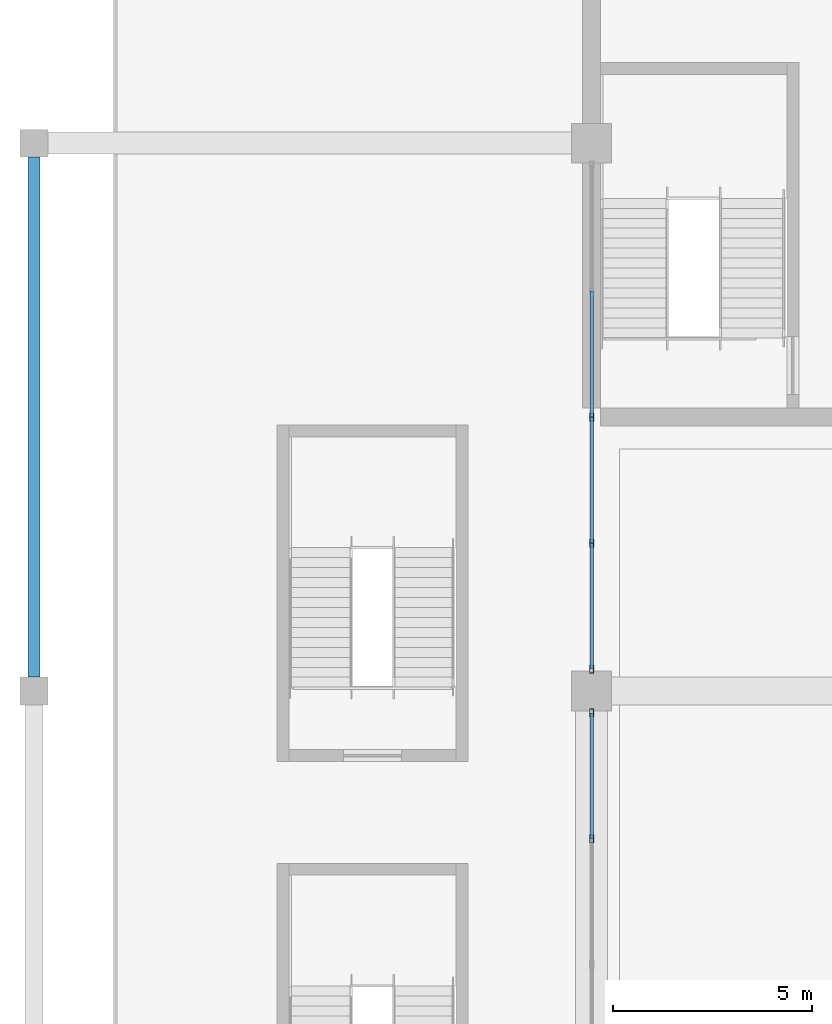
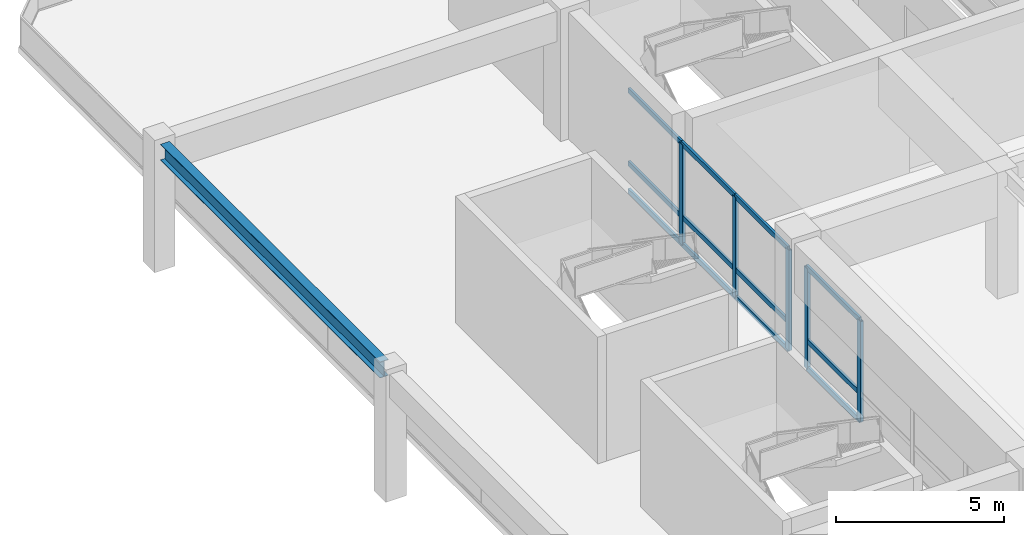
# One storey, part 31 of 94: 17 members, 1 beam, 2 elements without a shape of their own.
"""IFC4 building model written with IfcOpenShell, lengths in metres."""

from ifc_helpers import new_model, si_unit, direction, frame, origin, origin_2d, place, context, subcontext, project, spatial, hollow_rectangle, i_section, extrude, material, material_profile, profile_set, type_object, element, aggregate, save


model = new_model("IFC4")

# Units and contexts
model_context = context("Model", 3, precision=1e-05, world=origin(), true_north=direction((0.0, 1.0)))
body_context = subcontext(model_context, "Body", "Model", "MODEL_VIEW")
ifc_project = project(units=[si_unit("LENGTHUNIT", "METRE"), si_unit("AREAUNIT", "SQUARE_METRE"), si_unit("VOLUMEUNIT", "CUBIC_METRE"), si_unit("PLANEANGLEUNIT", "RADIAN"), si_unit("MASSUNIT", "GRAM", prefix="KILO")], contexts=[model_context])

# Site, building, storey
site_placement = place(None, origin())
site = spatial("IfcSite", under=ifc_project, at=site_placement, CompositionType="ELEMENT")
building_placement = place(site_placement, origin())
building = spatial("IfcBuilding", under=site, at=building_placement, Name="Linyun Crest Stadium", CompositionType="ELEMENT")
storey_placement = place(building_placement, frame((0.0, 0.0, 16.199951171875)))
storey = spatial("IfcBuildingStorey", under=building, at=storey_placement, Name="L04", CompositionType="ELEMENT", Elevation=16.199951171875)

# Beam
ifc_material_1 = material(Name="Steel Q355C", Category="steel")
ifc_material_profile_1 = material_profile(ifc_material_1, i_section(OverallWidth=0.300048828125, OverallDepth=0.587890625, WebThickness=0.011962890625, FlangeThickness=0.02001953125, at=origin_2d()), Name="HM 588x300")
ifc_profile_set_1 = profile_set([ifc_material_profile_1], Name="Steel Q355C")
beam_type = type_object("IfcBeamType", Name="B09", PredefinedType="BEAM", material=ifc_profile_set_1)
beam_placement = place(storey_placement, frame((-98.0, 29.97509765625, 4.30615234375), z_axis=(0.0, 1.0, 0.0), x_axis=(-1.0, 0.0, 0.0)))
element("IfcBeam", 1, at=beam_placement, inside=storey, type_object=beam_type, Name="Frame beam B09 L04 326", PredefinedType="BEAM", context=body_context, shape_type="SweptSolid", body=[
    extrude(i_section(OverallWidth=0.300048828125, OverallDepth=0.587890625, WebThickness=0.011962890625, FlangeThickness=0.02001953125, at=origin_2d()), origin(), (0.0, 0.0, 1.0), 13.0498046875),
])

# Curtain wall, members
ifc_material_2 = material(Name="Verdigris steel and low-E curtain wall assembly", Category="steel")
curtain_wall_type = type_object("IfcCurtainWallType", Name="MCW06", PredefinedType="NOTDEFINED", material=ifc_material_2)
curtain_wall_1_placement = place(storey_placement, origin())
curtain_wall_1 = element("IfcCurtainWall", 2, at=curtain_wall_1_placement, inside=storey, type_object=curtain_wall_type, Name="CWR-111", PredefinedType="NOTDEFINED")
ifc_material_3 = material(Name="Verdigris painted steel Q355C mullion", Category="steel")
ifc_material_profile_2 = material_profile(ifc_material_3, hollow_rectangle(XDim=0.10009765625, YDim=0.199951171875, WallThickness=0.008056640625, at=origin_2d()), Name="RHS 200x100x8")
ifc_profile_set_2 = profile_set([ifc_material_profile_2], Name="Verdigris painted steel Q355C mullion")
member_type_1 = type_object("IfcMemberType", Name="ML03", PredefinedType="MULLION", material=ifc_profile_set_2)
member_1_placement = place(storey_placement, frame((-84.0, 25.912109375, 0.0), z_axis=(0.0, 0.0, 1.0), x_axis=(-1.0, 0.0, 0.0)))
member_1 = element("IfcMember", 3, at=member_1_placement, type_object=member_type_1, Name="CWR-111 mullion 4", PredefinedType="MULLION", context=body_context, shape_type="SweptSolid", body=[
    extrude(hollow_rectangle(XDim=0.10009765625, YDim=0.199951171875, WallThickness=0.008056640625, at=origin_2d()), origin(), (0.0, 0.0, 1.0), 3.650146484375),
])
member_2_placement = place(storey_placement, frame((-84.0, 29.074951171875, 0.0), z_axis=(0.0, 0.0, 1.0), x_axis=(-1.0, 0.0, 0.0)))
member_2 = element("IfcMember", 4, at=member_2_placement, type_object=member_type_1, Name="CWR-111 mullion 5", PredefinedType="MULLION", context=body_context, shape_type="SweptSolid", body=[
    extrude(hollow_rectangle(XDim=0.10009765625, YDim=0.199951171875, WallThickness=0.008056640625, at=origin_2d()), origin(), (0.0, 0.0, 1.0), 3.650146484375),
])

curtain_wall_2_placement = place(storey_placement, origin())
curtain_wall_2 = element("IfcCurtainWall", 5, at=curtain_wall_2_placement, inside=storey, type_object=curtain_wall_type, Name="CWR-120", PredefinedType="NOTDEFINED")
member_3_placement = place(storey_placement, frame((-84.0, 30.175048828125, 0.0), z_axis=(0.0, 0.0, 1.0), x_axis=(-1.0, 0.0, 0.0)))
member_3 = element("IfcMember", 6, at=member_3_placement, type_object=member_type_1, Name="CWR-120 mullion 1", PredefinedType="MULLION", context=body_context, shape_type="SweptSolid", body=[
    extrude(hollow_rectangle(XDim=0.10009765625, YDim=0.199951171875, WallThickness=0.008056640625, at=origin_2d()), origin(), (0.0, 0.0, 1.0), 3.650146484375),
])
member_4_placement = place(storey_placement, frame((-84.0, 33.337890625, 0.0), z_axis=(0.0, 0.0, 1.0), x_axis=(-1.0, 0.0, 0.0)))
member_4 = element("IfcMember", 7, at=member_4_placement, type_object=member_type_1, Name="CWR-120 mullion 2", PredefinedType="MULLION", context=body_context, shape_type="SweptSolid", body=[
    extrude(hollow_rectangle(XDim=0.10009765625, YDim=0.199951171875, WallThickness=0.008056640625, at=origin_2d()), origin(), (0.0, 0.0, 1.0), 3.650146484375),
])
member_5_placement = place(storey_placement, frame((-84.0, 36.5, 0.0), z_axis=(0.0, 0.0, 1.0), x_axis=(-1.0, 0.0, 0.0)))
member_5 = element("IfcMember", 8, at=member_5_placement, type_object=member_type_1, Name="CWR-120 mullion 3", PredefinedType="MULLION", context=body_context, shape_type="SweptSolid", body=[
    extrude(hollow_rectangle(XDim=0.10009765625, YDim=0.199951171875, WallThickness=0.008056640625, at=origin_2d()), origin(), (0.0, 0.0, 1.0), 3.650146484375),
])

# Member
ifc_material_4 = material(Name="Verdigris painted steel Q355B transom", Category="steel")
ifc_material_profile_3 = material_profile(ifc_material_4, hollow_rectangle(XDim=0.080078125, YDim=0.179931640625, WallThickness=0.006103515625, at=origin_2d()), Name="RHS 180x80x6")
ifc_profile_set_3 = profile_set([ifc_material_profile_3], Name="Verdigris painted steel Q355B transom")
member_type_2 = type_object("IfcMemberType", Name="TR02", PredefinedType="USERDEFINED", material=ifc_profile_set_3)
member_6_placement = place(storey_placement, frame((-84.0, 25.912109375, 0.0), z_axis=(0.0, 1.0, 0.0), x_axis=(-1.0, 0.0, 0.0)))
member_6 = element("IfcMember", 9, at=member_6_placement, type_object=member_type_2, Name="CWR-111 transom 4.1", ObjectType="TRANSOM", PredefinedType="USERDEFINED", context=body_context, shape_type="SweptSolid", body=[
    extrude(hollow_rectangle(XDim=0.080078125, YDim=0.179931640625, WallThickness=0.006103515625, at=origin_2d()), origin(), (0.0, 0.0, 1.0), 3.162841796875),
])

member_7_placement = place(storey_placement, frame((-84.0, 25.912109375, 1.0), z_axis=(0.0, 1.0, 0.0), x_axis=(-1.0, 0.0, 0.0)))
member_7 = element("IfcMember", 10, at=member_7_placement, type_object=member_type_2, Name="CWR-111 transom 4.2", ObjectType="TRANSOM", PredefinedType="USERDEFINED", context=body_context, shape_type="SweptSolid", body=[
    extrude(hollow_rectangle(XDim=0.080078125, YDim=0.179931640625, WallThickness=0.006103515625, at=origin_2d()), origin(), (0.0, 0.0, 1.0), 3.162841796875),
])

member_8_placement = place(storey_placement, frame((-84.0, 25.912109375, 3.650146484375), z_axis=(0.0, 1.0, 0.0), x_axis=(-1.0, 0.0, 0.0)))
member_8 = element("IfcMember", 11, at=member_8_placement, type_object=member_type_2, Name="CWR-111 transom 4.3", ObjectType="TRANSOM", PredefinedType="USERDEFINED", context=body_context, shape_type="SweptSolid", body=[
    extrude(hollow_rectangle(XDim=0.080078125, YDim=0.179931640625, WallThickness=0.006103515625, at=origin_2d()), origin(), (0.0, 0.0, 1.0), 3.162841796875),
])

aggregate(curtain_wall_1, [member_1, member_2, member_6, member_7, member_8])

member_9_placement = place(storey_placement, frame((-84.0, 30.175048828125, 0.0), z_axis=(0.0, 1.0, 0.0), x_axis=(-1.0, 0.0, 0.0)))
member_9 = element("IfcMember", 12, at=member_9_placement, type_object=member_type_2, Name="CWR-120 transom 1.1", ObjectType="TRANSOM", PredefinedType="USERDEFINED", context=body_context, shape_type="SweptSolid", body=[
    extrude(hollow_rectangle(XDim=0.080078125, YDim=0.179931640625, WallThickness=0.006103515625, at=origin_2d()), origin(), (0.0, 0.0, 1.0), 3.162841796875),
])

member_10_placement = place(storey_placement, frame((-84.0, 30.175048828125, 1.0), z_axis=(0.0, 1.0, 0.0), x_axis=(-1.0, 0.0, 0.0)))
member_10 = element("IfcMember", 13, at=member_10_placement, type_object=member_type_2, Name="CWR-120 transom 1.2", ObjectType="TRANSOM", PredefinedType="USERDEFINED", context=body_context, shape_type="SweptSolid", body=[
    extrude(hollow_rectangle(XDim=0.080078125, YDim=0.179931640625, WallThickness=0.006103515625, at=origin_2d()), origin(), (0.0, 0.0, 1.0), 3.162841796875),
])

member_11_placement = place(storey_placement, frame((-84.0, 30.175048828125, 3.650146484375), z_axis=(0.0, 1.0, 0.0), x_axis=(-1.0, 0.0, 0.0)))
member_11 = element("IfcMember", 14, at=member_11_placement, type_object=member_type_2, Name="CWR-120 transom 1.3", ObjectType="TRANSOM", PredefinedType="USERDEFINED", context=body_context, shape_type="SweptSolid", body=[
    extrude(hollow_rectangle(XDim=0.080078125, YDim=0.179931640625, WallThickness=0.006103515625, at=origin_2d()), origin(), (0.0, 0.0, 1.0), 3.162841796875),
])

member_12_placement = place(storey_placement, frame((-84.0, 33.337890625, 0.0), z_axis=(0.0, 1.0, 0.0), x_axis=(-1.0, 0.0, 0.0)))
member_12 = element("IfcMember", 15, at=member_12_placement, type_object=member_type_2, Name="CWR-120 transom 2.1", ObjectType="TRANSOM", PredefinedType="USERDEFINED", context=body_context, shape_type="SweptSolid", body=[
    extrude(hollow_rectangle(XDim=0.080078125, YDim=0.179931640625, WallThickness=0.006103515625, at=origin_2d()), origin(), (0.0, 0.0, 1.0), 3.162109375),
])

member_13_placement = place(storey_placement, frame((-84.0, 33.337890625, 1.0), z_axis=(0.0, 1.0, 0.0), x_axis=(-1.0, 0.0, 0.0)))
member_13 = element("IfcMember", 16, at=member_13_placement, type_object=member_type_2, Name="CWR-120 transom 2.2", ObjectType="TRANSOM", PredefinedType="USERDEFINED", context=body_context, shape_type="SweptSolid", body=[
    extrude(hollow_rectangle(XDim=0.080078125, YDim=0.179931640625, WallThickness=0.006103515625, at=origin_2d()), origin(), (0.0, 0.0, 1.0), 3.162109375),
])

member_14_placement = place(storey_placement, frame((-84.0, 33.337890625, 3.650146484375), z_axis=(0.0, 1.0, 0.0), x_axis=(-1.0, 0.0, 0.0)))
member_14 = element("IfcMember", 17, at=member_14_placement, type_object=member_type_2, Name="CWR-120 transom 2.3", ObjectType="TRANSOM", PredefinedType="USERDEFINED", context=body_context, shape_type="SweptSolid", body=[
    extrude(hollow_rectangle(XDim=0.080078125, YDim=0.179931640625, WallThickness=0.006103515625, at=origin_2d()), origin(), (0.0, 0.0, 1.0), 3.162109375),
])

member_15_placement = place(storey_placement, frame((-84.0, 36.5, 0.0), z_axis=(0.0, 1.0, 0.0), x_axis=(-1.0, 0.0, 0.0)))
member_15 = element("IfcMember", 18, at=member_15_placement, type_object=member_type_2, Name="CWR-120 transom 3.1", ObjectType="TRANSOM", PredefinedType="USERDEFINED", context=body_context, shape_type="SweptSolid", body=[
    extrude(hollow_rectangle(XDim=0.080078125, YDim=0.179931640625, WallThickness=0.006103515625, at=origin_2d()), origin(), (0.0, 0.0, 1.0), 3.162109375),
])

member_16_placement = place(storey_placement, frame((-84.0, 36.5, 1.0), z_axis=(0.0, 1.0, 0.0), x_axis=(-1.0, 0.0, 0.0)))
member_16 = element("IfcMember", 19, at=member_16_placement, type_object=member_type_2, Name="CWR-120 transom 3.2", ObjectType="TRANSOM", PredefinedType="USERDEFINED", context=body_context, shape_type="SweptSolid", body=[
    extrude(hollow_rectangle(XDim=0.080078125, YDim=0.179931640625, WallThickness=0.006103515625, at=origin_2d()), origin(), (0.0, 0.0, 1.0), 3.162109375),
])

member_17_placement = place(storey_placement, frame((-84.0, 36.5, 3.650146484375), z_axis=(0.0, 1.0, 0.0), x_axis=(-1.0, 0.0, 0.0)))
member_17 = element("IfcMember", 20, at=member_17_placement, type_object=member_type_2, Name="CWR-120 transom 3.3", ObjectType="TRANSOM", PredefinedType="USERDEFINED", context=body_context, shape_type="SweptSolid", body=[
    extrude(hollow_rectangle(XDim=0.080078125, YDim=0.179931640625, WallThickness=0.006103515625, at=origin_2d()), origin(), (0.0, 0.0, 1.0), 3.162109375),
])

aggregate(curtain_wall_2, [member_3, member_4, member_5, member_9, member_10, member_11, member_12, member_13, member_14, member_15, member_16, member_17])

save(model, "model.ifc")
